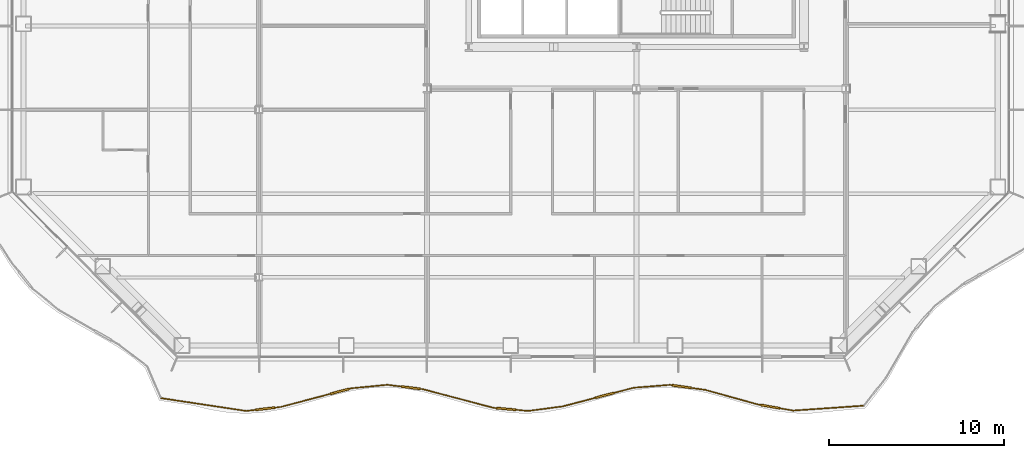
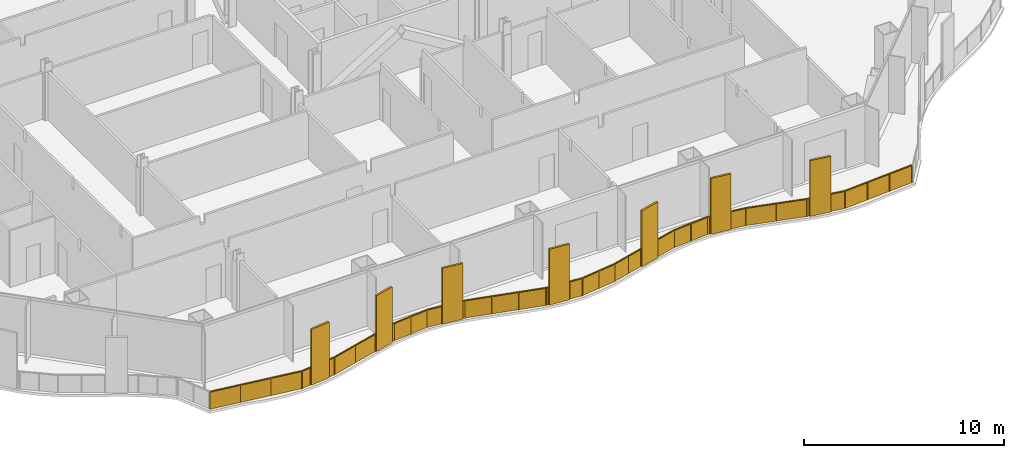
# One storey, part 13 of 18: 1 railing.
"""IFC4 building model written with IfcOpenShell, lengths in metres."""

from ifc_helpers import new_model, si_unit, direction, frame, origin, origin_2d, place, context, subcontext, project, spatial, polyline, rectangle, outline, extrude, material, type_object, element, save


model = new_model("IFC4")

# Units and contexts
model_context = context("Model", 3, precision=1e-05, world=origin(), true_north=direction((0.0, 1.0)))
body_context = subcontext(model_context, "Body", "Model", "MODEL_VIEW")
ifc_project = project(units=[si_unit("LENGTHUNIT", "METRE"), si_unit("AREAUNIT", "SQUARE_METRE"), si_unit("VOLUMEUNIT", "CUBIC_METRE"), si_unit("PLANEANGLEUNIT", "RADIAN"), si_unit("MASSUNIT", "GRAM", prefix="KILO")], contexts=[model_context])

# Site, building, storey
site_placement = place(None, origin())
site = spatial("IfcSite", under=ifc_project, at=site_placement, CompositionType="ELEMENT")
building_placement = place(site_placement, origin())
building = spatial("IfcBuilding", under=site, at=building_placement, Name="Cairn Pilgrim Tower", CompositionType="ELEMENT")
storey_placement = place(building_placement, frame((0.0, 0.0, 72.60009765625)))
storey = spatial("IfcBuildingStorey", under=building, at=storey_placement, Name="L16", CompositionType="ELEMENT", Elevation=72.60009765625)

# Railing
ifc_material = material(Name="Bronze anodised aluminium rail, posts and fin screens with laminated glass infill", Category="aluminium")
railing_type = type_object("IfcRailingType", Name="BALCONY GUARD WITH FIN SCREENS", PredefinedType="GUARDRAIL", material=ifc_material)
railing_placement = place(storey_placement, frame((-20.027587890625, -26.114013671875, 0.0)))
element("IfcRailing", 1, at=railing_placement, inside=storey, type_object=railing_type, Name="Balcony guard BGF-1 with fin screens", PredefinedType="GUARDRAIL", context=body_context, shape_type="SweptSolid", body=[
    extrude(rectangle(XDim=0.050048828125, YDim=0.050048828125, at=origin_2d()), frame((0.0, 0.0, 1.0751953125), z_axis=(0.988823769402, -0.149089077623, 0.0), x_axis=(0.149089077623, 0.988823769402, 0.0)), (0.0, 0.0, 1.0), 4.927490234375),
    extrude(rectangle(XDim=1.10009765625, YDim=0.110107421875, at=origin_2d()), frame((5.97021484375, -0.608154296875, 0.0), z_axis=(0.0, 0.0, 1.0), x_axis=(0.993419071083, 0.114536235351, 0.0)), (0.0, 0.0, 1.0), 3.39990234375),
    extrude(rectangle(XDim=0.050048828125, YDim=0.050048828125, at=origin_2d()), frame((4.872314453125, -0.734619140625, 1.0751953125), z_axis=(0.993419071083, 0.114536235351, 0.0), x_axis=(-0.114536235351, 0.993419071083, 0.0)), (0.0, 0.0, 1.0), 0.55517578125),
    extrude(rectangle(XDim=0.050048828125, YDim=0.050048828125, at=origin_2d()), frame((6.5166015625, -0.545166015625, 1.0751953125), z_axis=(0.993419071083, 0.114536235351, 0.0), x_axis=(-0.114536235351, 0.993419071083, 0.0)), (0.0, 0.0, 1.0), 0.3486328125),
    extrude(rectangle(XDim=1.10009765625, YDim=0.110107421875, at=origin_2d()), frame((10.2294921875, 0.385009765625, 0.0), z_axis=(0.0, 0.0, 1.0), x_axis=(0.966778237652, 0.255616586323, 0.0)), (0.0, 0.0, 1.0), 3.39990234375),
    extrude(rectangle(XDim=0.050048828125, YDim=0.050048828125, at=origin_2d()), frame((6.86279296875, -0.505126953125, 1.0751953125), z_axis=(0.966778237652, 0.255616586323, 0.0), x_axis=(-0.255616586323, 0.966778237652, 0.0)), (0.0, 0.0, 1.0), 2.932373046875),
    extrude(rectangle(XDim=0.050048828125, YDim=0.050048828125, at=origin_2d()), frame((10.76123046875, 0.525634765625, 1.0751953125), z_axis=(0.966778237652, 0.255616586323, 0.0), x_axis=(-0.255616586323, 0.966778237652, 0.0)), (0.0, 0.0, 1.0), 0.14990234375),
    extrude(rectangle(XDim=0.050048828125, YDim=0.050048828125, at=origin_2d()), frame((10.90625, 0.56396484375, 1.0751953125), z_axis=(0.995274913369, 0.097097099946, 0.0), x_axis=(-0.097097099946, 0.995274913369, 0.0)), (0.0, 0.0, 1.0), 2.059326171875),
    extrude(rectangle(XDim=1.10009765625, YDim=0.110107421875, at=origin_2d()), frame((14.308837890625, 0.596435546875, 0.0), z_axis=(0.0, 0.0, 1.0), x_axis=(0.992428237928, -0.12282586276, 0.0)), (0.0, 0.0, 1.0), 3.39990234375),
    extrude(rectangle(XDim=0.050048828125, YDim=0.050048828125, at=origin_2d()), frame((12.955810546875, 0.763916015625, 1.0751953125), z_axis=(0.992428237928, -0.12282586276, 0.0), x_axis=(0.12282586276, 0.992428237928, 0.0)), (0.0, 0.0, 1.0), 0.8134765625),
    extrude(rectangle(XDim=0.050048828125, YDim=0.050048828125, at=origin_2d()), frame((14.854736328125, 0.52880859375, 1.0751953125), z_axis=(0.992428237928, -0.12282586276, 0.0), x_axis=(0.12282586276, 0.992428237928, 0.0)), (0.0, 0.0, 1.0), 0.14990234375),
    extrude(rectangle(XDim=0.050048828125, YDim=0.050048828125, at=origin_2d()), frame((15.00341796875, 0.510498046875, 1.0751953125), z_axis=(0.966875925822, -0.255246829686, 0.0), x_axis=(0.255246829686, 0.966875925822, 0.0)), (0.0, 0.0, 1.0), 4.177978515625),
    extrude(rectangle(XDim=1.10009765625, YDim=0.110107421875, at=origin_2d()), frame((19.76318359375, -0.619873046875, 0.0), z_axis=(0.0, 0.0, 1.0), x_axis=(0.996086028057, -0.088389053109, 0.0)), (0.0, 0.0, 1.0), 3.39990234375),
    extrude(rectangle(XDim=0.050048828125, YDim=0.050048828125, at=origin_2d()), frame((19.04296875, -0.555908203125, 1.0751953125), z_axis=(0.996086028057, -0.088389053109, 0.0), x_axis=(0.088389053109, 0.996086028057, 0.0)), (0.0, 0.0, 1.0), 0.173095703125),
    extrude(rectangle(XDim=0.050048828125, YDim=0.050048828125, at=origin_2d()), frame((20.31103515625, -0.66845703125, 1.0751953125), z_axis=(0.996086028057, -0.088389053109, 0.0), x_axis=(0.088389053109, 0.996086028057, 0.0)), (0.0, 0.0, 1.0), 0.726806640625),
    extrude(rectangle(XDim=0.050048828125, YDim=0.050048828125, at=origin_2d()), frame((21.034912109375, -0.732666015625, 1.0751953125), z_axis=(0.991348267386, 0.131257810244, 0.0), x_axis=(-0.131257810244, 0.991348267386, 0.0)), (0.0, 0.0, 1.0), 2.012451171875),
    extrude(rectangle(XDim=1.10009765625, YDim=0.110107421875, at=origin_2d()), frame((25.408447265625, 0.15771484375, 0.0), z_axis=(0.0, 0.0, 1.0), x_axis=(0.967046563714, 0.254599575035, 0.0)), (0.0, 0.0, 1.0), 3.39990234375),
    extrude(rectangle(XDim=0.050048828125, YDim=0.050048828125, at=origin_2d()), frame((23.030029296875, -0.468505859375, 1.0751953125), z_axis=(0.967046563714, 0.254599575035, 0.0), x_axis=(-0.254599575035, 0.967046563714, 0.0)), (0.0, 0.0, 1.0), 1.909423828125),
    extrude(rectangle(XDim=0.050048828125, YDim=0.050048828125, at=origin_2d()), frame((25.9404296875, 0.297607421875, 1.0751953125), z_axis=(0.967046563714, 0.254599575035, 0.0), x_axis=(-0.254599575035, 0.967046563714, 0.0)), (0.0, 0.0, 1.0), 1.17431640625),
    extrude(rectangle(XDim=0.050048828125, YDim=0.050048828125, at=origin_2d()), frame((27.075927734375, 0.5966796875, 1.0751953125), z_axis=(0.996853646438, 0.079264163293, 0.0), x_axis=(-0.079264163293, 0.996853646438, 0.0)), (0.0, 0.0, 1.0), 2.0576171875),
    extrude(rectangle(XDim=1.10009765625, YDim=0.110107421875, at=origin_2d()), frame((29.820068359375, 0.662353515625, 0.0), z_axis=(0.0, 0.0, 1.0), x_axis=(0.990258868866, -0.139238545783, 0.0)), (0.0, 0.0, 1.0), 3.39990234375),
    extrude(rectangle(XDim=0.050048828125, YDim=0.050048828125, at=origin_2d()), frame((29.126953125, 0.759765625, 1.0751953125), z_axis=(0.990258868866, -0.139238545783, 0.0), x_axis=(0.139238545783, 0.990258868866, 0.0)), (0.0, 0.0, 1.0), 0.14990234375),
    extrude(rectangle(XDim=0.050048828125, YDim=0.050048828125, at=origin_2d()), frame((30.36474609375, 0.585693359375, 1.0751953125), z_axis=(0.990258868866, -0.139238545783, 0.0), x_axis=(0.139238545783, 0.990258868866, 0.0)), (0.0, 0.0, 1.0), 0.817138671875),
    extrude(rectangle(XDim=0.050048828125, YDim=0.050048828125, at=origin_2d()), frame((31.174072265625, 0.471923828125, 1.0751953125), z_axis=(0.9637508878, -0.266803722359, 0.0), x_axis=(0.266803722359, 0.9637508878, 0.0)), (0.0, 0.0, 1.0), 3.147705078125),
    extrude(rectangle(XDim=1.10009765625, YDim=0.110107421875, at=origin_2d()), frame((34.897705078125, -0.48681640625, 0.0), z_axis=(0.0, 0.0, 1.0), x_axis=(0.985449674135, -0.169967466732, 0.0)), (0.0, 0.0, 1.0), 3.39990234375),
    extrude(rectangle(XDim=0.050048828125, YDim=0.050048828125, at=origin_2d()), frame((34.207763671875, -0.367919921875, 1.0751953125), z_axis=(0.985449674135, -0.169967466732, 0.0), x_axis=(0.169967466732, 0.985449674135, 0.0)), (0.0, 0.0, 1.0), 0.150146484375),
    extrude(rectangle(XDim=0.050048828125, YDim=0.050048828125, at=origin_2d()), frame((35.439697265625, -0.580322265625, 1.0751953125), z_axis=(0.985449674135, -0.169967466732, 0.0), x_axis=(0.169967466732, 0.985449674135, 0.0)), (0.0, 0.0, 1.0), 0.775146484375),
    extrude(rectangle(XDim=0.050048828125, YDim=0.050048828125, at=origin_2d()), frame((36.20361328125, -0.712158203125, 1.0751953125), z_axis=(0.99762787881, 0.06883760179, 0.0), x_axis=(-0.06883760179, 0.99762787881, 0.0)), (0.0, 0.0, 1.0), 4.01123046875),
    extrude(rectangle(XDim=0.050048828125, YDim=0.050048828125, at=origin_2d()), origin(), (0.0, 0.0, 1.0), 1.050048828125),
    extrude(rectangle(XDim=0.050048828125, YDim=0.050048828125, at=origin_2d()), frame((1.6240234375, -0.244873046875, 0.0)), (0.0, 0.0, 1.0), 1.050048828125),
    extrude(rectangle(XDim=0.050048828125, YDim=0.050048828125, at=origin_2d()), frame((3.248291015625, -0.48974609375, 0.0)), (0.0, 0.0, 1.0), 1.050048828125),
    extrude(rectangle(XDim=0.050048828125, YDim=0.050048828125, at=origin_2d()), frame((4.872314453125, -0.734619140625, 0.0)), (0.0, 0.0, 1.0), 1.050048828125),
    extrude(rectangle(XDim=0.050048828125, YDim=0.050048828125, at=origin_2d()), frame((5.39892578125, -0.673828125, 0.0)), (0.0, 0.0, 1.0), 1.050048828125),
    extrude(rectangle(XDim=0.050048828125, YDim=0.050048828125, at=origin_2d()), frame((6.54150390625, -0.542236328125, 0.0)), (0.0, 0.0, 1.0), 1.050048828125),
    extrude(rectangle(XDim=0.050048828125, YDim=0.050048828125, at=origin_2d()), frame((6.86279296875, -0.505126953125, 0.0)), (0.0, 0.0, 1.0), 1.050048828125),
    extrude(rectangle(XDim=0.050048828125, YDim=0.050048828125, at=origin_2d()), frame((8.268310546875, -0.133544921875, 0.0)), (0.0, 0.0, 1.0), 1.050048828125),
    extrude(rectangle(XDim=0.050048828125, YDim=0.050048828125, at=origin_2d()), frame((9.673583984375, 0.238037109375, 0.0)), (0.0, 0.0, 1.0), 1.050048828125),
    extrude(rectangle(XDim=0.050048828125, YDim=0.050048828125, at=origin_2d()), frame((10.785400390625, 0.531982421875, 0.0)), (0.0, 0.0, 1.0), 1.050048828125),
    extrude(rectangle(XDim=0.050048828125, YDim=0.050048828125, at=origin_2d()), frame((10.90625, 0.56396484375, 0.0)), (0.0, 0.0, 1.0), 1.050048828125),
    extrude(rectangle(XDim=0.050048828125, YDim=0.050048828125, at=origin_2d()), frame((11.93115234375, 0.6640625, 0.0)), (0.0, 0.0, 1.0), 1.050048828125),
    extrude(rectangle(XDim=0.050048828125, YDim=0.050048828125, at=origin_2d()), frame((12.955810546875, 0.763916015625, 0.0)), (0.0, 0.0, 1.0), 1.050048828125),
    extrude(rectangle(XDim=0.050048828125, YDim=0.050048828125, at=origin_2d()), frame((13.73828125, 0.6669921875, 0.0)), (0.0, 0.0, 1.0), 1.050048828125),
    extrude(rectangle(XDim=0.050048828125, YDim=0.050048828125, at=origin_2d()), frame((14.87939453125, 0.52587890625, 0.0)), (0.0, 0.0, 1.0), 1.050048828125),
    extrude(rectangle(XDim=0.050048828125, YDim=0.050048828125, at=origin_2d()), frame((15.00341796875, 0.510498046875, 0.0)), (0.0, 0.0, 1.0), 1.050048828125),
    extrude(rectangle(XDim=0.050048828125, YDim=0.050048828125, at=origin_2d()), frame((16.349853515625, 0.155029296875, 0.0)), (0.0, 0.0, 1.0), 1.050048828125),
    extrude(rectangle(XDim=0.050048828125, YDim=0.050048828125, at=origin_2d()), frame((17.696533203125, -0.200439453125, 0.0)), (0.0, 0.0, 1.0), 1.050048828125),
    extrude(rectangle(XDim=0.050048828125, YDim=0.050048828125, at=origin_2d()), frame((19.04296875, -0.555908203125, 0.0)), (0.0, 0.0, 1.0), 1.050048828125),
    extrude(rectangle(XDim=0.050048828125, YDim=0.050048828125, at=origin_2d()), frame((19.1904296875, -0.569091796875, 0.0)), (0.0, 0.0, 1.0), 1.050048828125),
    extrude(rectangle(XDim=0.050048828125, YDim=0.050048828125, at=origin_2d()), frame((20.3359375, -0.670654296875, 0.0)), (0.0, 0.0, 1.0), 1.050048828125),
    extrude(rectangle(XDim=0.050048828125, YDim=0.050048828125, at=origin_2d()), frame((21.034912109375, -0.732666015625, 0.0)), (0.0, 0.0, 1.0), 1.050048828125),
    extrude(rectangle(XDim=0.050048828125, YDim=0.050048828125, at=origin_2d()), frame((22.032470703125, -0.6005859375, 0.0)), (0.0, 0.0, 1.0), 1.050048828125),
    extrude(rectangle(XDim=0.050048828125, YDim=0.050048828125, at=origin_2d()), frame((23.030029296875, -0.468505859375, 0.0)), (0.0, 0.0, 1.0), 1.050048828125),
    extrude(rectangle(XDim=0.050048828125, YDim=0.050048828125, at=origin_2d()), frame((23.941162109375, -0.228515625, 0.0)), (0.0, 0.0, 1.0), 1.050048828125),
    extrude(rectangle(XDim=0.050048828125, YDim=0.050048828125, at=origin_2d()), frame((24.852294921875, 0.01123046875, 0.0)), (0.0, 0.0, 1.0), 1.050048828125),
    extrude(rectangle(XDim=0.050048828125, YDim=0.050048828125, at=origin_2d()), frame((25.964599609375, 0.30419921875, 0.0)), (0.0, 0.0, 1.0), 1.050048828125),
    extrude(rectangle(XDim=0.050048828125, YDim=0.050048828125, at=origin_2d()), frame((27.075927734375, 0.5966796875, 0.0)), (0.0, 0.0, 1.0), 1.050048828125),
    extrude(rectangle(XDim=0.050048828125, YDim=0.050048828125, at=origin_2d()), frame((28.1015625, 0.67822265625, 0.0)), (0.0, 0.0, 1.0), 1.050048828125),
    extrude(rectangle(XDim=0.050048828125, YDim=0.050048828125, at=origin_2d()), frame((29.126953125, 0.759765625, 0.0)), (0.0, 0.0, 1.0), 1.050048828125),
    extrude(rectangle(XDim=0.050048828125, YDim=0.050048828125, at=origin_2d()), frame((29.250732421875, 0.742431640625, 0.0)), (0.0, 0.0, 1.0), 1.050048828125),
    extrude(rectangle(XDim=0.050048828125, YDim=0.050048828125, at=origin_2d()), frame((30.3896484375, 0.582275390625, 0.0)), (0.0, 0.0, 1.0), 1.050048828125),
    extrude(rectangle(XDim=0.050048828125, YDim=0.050048828125, at=origin_2d()), frame((31.174072265625, 0.471923828125, 0.0)), (0.0, 0.0, 1.0), 1.050048828125),
    extrude(rectangle(XDim=0.050048828125, YDim=0.050048828125, at=origin_2d()), frame((32.69091796875, 0.052001953125, 0.0)), (0.0, 0.0, 1.0), 1.050048828125),
    extrude(rectangle(XDim=0.050048828125, YDim=0.050048828125, at=origin_2d()), frame((34.207763671875, -0.367919921875, 0.0)), (0.0, 0.0, 1.0), 1.050048828125),
    extrude(rectangle(XDim=0.050048828125, YDim=0.050048828125, at=origin_2d()), frame((34.3310546875, -0.38916015625, 0.0)), (0.0, 0.0, 1.0), 1.050048828125),
    extrude(rectangle(XDim=0.050048828125, YDim=0.050048828125, at=origin_2d()), frame((35.46435546875, -0.584716796875, 0.0)), (0.0, 0.0, 1.0), 1.050048828125),
    extrude(rectangle(XDim=0.050048828125, YDim=0.050048828125, at=origin_2d()), frame((36.20361328125, -0.712158203125, 0.0)), (0.0, 0.0, 1.0), 1.050048828125),
    extrude(rectangle(XDim=0.050048828125, YDim=0.050048828125, at=origin_2d()), frame((37.53759765625, -0.6201171875, 0.0)), (0.0, 0.0, 1.0), 1.050048828125),
    extrude(rectangle(XDim=0.050048828125, YDim=0.050048828125, at=origin_2d()), frame((38.871337890625, -0.528076171875, 0.0)), (0.0, 0.0, 1.0), 1.050048828125),
    extrude(rectangle(XDim=0.050048828125, YDim=0.050048828125, at=origin_2d()), frame((40.205322265625, -0.43603515625, 0.0)), (0.0, 0.0, 1.0), 1.050048828125),
    extrude(outline(polyline([(0.02490234375, 0.0), (1.617431640625, 0.0), (1.617431640625, 1.050048828125), (0.02490234375, 1.050048828125), (0.02490234375, 0.0)])), frame((0.0009765625, 0.005859375, 0.0), z_axis=(-0.149089077623, -0.988823769402, 0.0), x_axis=(0.988823769402, -0.149089077623, 0.0)), (0.0, 0.0, 1.0), 0.011962890625),
    extrude(outline(polyline([(0.02490234375, 0.0), (1.617431640625, 0.0), (1.617431640625, 1.050048828125), (0.02490234375, 1.050048828125), (0.02490234375, 0.0)])), frame((1.625, -0.239013671875, 0.0), z_axis=(-0.149089077623, -0.988823769402, 0.0), x_axis=(0.988823769402, -0.149089077623, 0.0)), (0.0, 0.0, 1.0), 0.011962890625),
    extrude(outline(polyline([(0.02490234375, 0.0), (1.617431640625, 0.0), (1.617431640625, 1.050048828125), (0.02490234375, 1.050048828125), (0.02490234375, 0.0)])), frame((3.2490234375, -0.48388671875, 0.0), z_axis=(-0.149089077623, -0.988823769402, 0.0), x_axis=(0.988823769402, -0.149089077623, 0.0)), (0.0, 0.0, 1.0), 0.011962890625),
    extrude(outline(polyline([(0.02490234375, 0.0), (0.505126953125, 0.0), (0.505126953125, 1.050048828125), (0.02490234375, 1.050048828125), (0.02490234375, 0.0)])), frame((4.87158203125, -0.728759765625, 0.0), z_axis=(0.114536235351, -0.993419071083, 0.0), x_axis=(0.993419071083, 0.114536235351, 0.0)), (0.0, 0.0, 1.0), 0.011962890625),
    extrude(outline(polyline([(0.02490234375, 0.0), (0.298583984375, 0.0), (0.298583984375, 1.050048828125), (0.02490234375, 1.050048828125), (0.02490234375, 0.0)])), frame((6.540771484375, -0.5361328125, 0.0), z_axis=(0.114536235351, -0.993419071083, 0.0), x_axis=(0.993419071083, 0.114536235351, 0.0)), (0.0, 0.0, 1.0), 0.011962890625),
    extrude(outline(polyline([(0.02490234375, 0.0), (1.4287109375, 0.0), (1.4287109375, 1.050048828125), (0.02490234375, 1.050048828125), (0.02490234375, 0.0)])), frame((6.861328125, -0.499267578125, 0.0), z_axis=(0.255616586323, -0.966778237652, 0.0), x_axis=(0.966778237652, 0.255616586323, 0.0)), (0.0, 0.0, 1.0), 0.011962890625),
    extrude(outline(polyline([(0.02490234375, 0.0), (1.4287109375, 0.0), (1.4287109375, 1.050048828125), (0.02490234375, 1.050048828125), (0.02490234375, 0.0)])), frame((8.2666015625, -0.127685546875, 0.0), z_axis=(0.255616586323, -0.966778237652, 0.0), x_axis=(0.966778237652, 0.255616586323, 0.0)), (0.0, 0.0, 1.0), 0.011962890625),
    extrude(outline(polyline([(0.02490234375, 0.0), (0.099853515625, 0.0), (0.099853515625, 1.050048828125), (0.02490234375, 1.050048828125), (0.02490234375, 0.0)])), frame((10.783935546875, 0.537841796875, 0.0), z_axis=(0.255616586323, -0.966778237652, 0.0), x_axis=(0.966778237652, 0.255616586323, 0.0)), (0.0, 0.0, 1.0), 0.011962890625),
    extrude(outline(polyline([(0.02490234375, 0.0), (1.004638671875, 0.0), (1.004638671875, 1.050048828125), (0.02490234375, 1.050048828125), (0.02490234375, 0.0)])), frame((10.90576171875, 0.56982421875, 0.0), z_axis=(0.097097099946, -0.995274913369, 0.0), x_axis=(0.995274913369, 0.097097099946, 0.0)), (0.0, 0.0, 1.0), 0.011962890625),
    extrude(outline(polyline([(0.02490234375, 0.0), (1.004638671875, 0.0), (1.004638671875, 1.050048828125), (0.02490234375, 1.050048828125), (0.02490234375, 0.0)])), frame((11.930419921875, 0.669921875, 0.0), z_axis=(0.097097099946, -0.995274913369, 0.0), x_axis=(0.995274913369, 0.097097099946, 0.0)), (0.0, 0.0, 1.0), 0.011962890625),
    extrude(outline(polyline([(0.02490234375, 0.0), (0.763427734375, 0.0), (0.763427734375, 1.050048828125), (0.02490234375, 1.050048828125), (0.02490234375, 0.0)])), frame((12.95654296875, 0.769775390625, 0.0), z_axis=(-0.12282586276, -0.992428237928, 0.0), x_axis=(0.992428237928, -0.12282586276, 0.0)), (0.0, 0.0, 1.0), 0.011962890625),
    extrude(outline(polyline([(0.02490234375, 0.0), (0.099853515625, 0.0), (0.099853515625, 1.050048828125), (0.02490234375, 1.050048828125), (0.02490234375, 0.0)])), frame((14.88037109375, 0.53173828125, 0.0), z_axis=(-0.12282586276, -0.992428237928, 0.0), x_axis=(0.992428237928, -0.12282586276, 0.0)), (0.0, 0.0, 1.0), 0.011962890625),
    extrude(outline(polyline([(0.02490234375, 0.0), (1.36767578125, 0.0), (1.36767578125, 1.050048828125), (0.02490234375, 1.050048828125), (0.02490234375, 0.0)])), frame((15.0048828125, 0.516357421875, 0.0), z_axis=(-0.255246829686, -0.966875925822, 0.0), x_axis=(0.966875925822, -0.255246829686, 0.0)), (0.0, 0.0, 1.0), 0.011962890625),
    extrude(outline(polyline([(0.02490234375, 0.0), (1.36767578125, 0.0), (1.36767578125, 1.050048828125), (0.02490234375, 1.050048828125), (0.02490234375, 0.0)])), frame((16.3515625, 0.160888671875, 0.0), z_axis=(-0.255246829686, -0.966875925822, 0.0), x_axis=(0.966875925822, -0.255246829686, 0.0)), (0.0, 0.0, 1.0), 0.011962890625),
    extrude(outline(polyline([(0.02490234375, 0.0), (1.36767578125, 0.0), (1.36767578125, 1.050048828125), (0.02490234375, 1.050048828125), (0.02490234375, 0.0)])), frame((17.697998046875, -0.194580078125, 0.0), z_axis=(-0.255246829686, -0.966875925822, 0.0), x_axis=(0.966875925822, -0.255246829686, 0.0)), (0.0, 0.0, 1.0), 0.011962890625),
    extrude(outline(polyline([(0.02490234375, 0.0), (0.123046875, 0.0), (0.123046875, 1.050048828125), (0.02490234375, 1.050048828125), (0.02490234375, 0.0)])), frame((19.04345703125, -0.550048828125, 0.0), z_axis=(-0.088389053109, -0.996086028057, 0.0), x_axis=(0.996086028057, -0.088389053109, 0.0)), (0.0, 0.0, 1.0), 0.011962890625),
    extrude(outline(polyline([(0.02490234375, 0.0), (0.6767578125, 0.0), (0.6767578125, 1.050048828125), (0.02490234375, 1.050048828125), (0.02490234375, 0.0)])), frame((20.33642578125, -0.664794921875, 0.0), z_axis=(-0.088389053109, -0.996086028057, 0.0), x_axis=(0.996086028057, -0.088389053109, 0.0)), (0.0, 0.0, 1.0), 0.011962890625),
    extrude(outline(polyline([(0.02490234375, 0.0), (0.981201171875, 0.0), (0.981201171875, 1.050048828125), (0.02490234375, 1.050048828125), (0.02490234375, 0.0)])), frame((21.0341796875, -0.726806640625, 0.0), z_axis=(0.131257810244, -0.991348267386, 0.0), x_axis=(0.991348267386, 0.131257810244, 0.0)), (0.0, 0.0, 1.0), 0.011962890625),
    extrude(outline(polyline([(0.02490234375, 0.0), (0.981201171875, 0.0), (0.981201171875, 1.050048828125), (0.02490234375, 1.050048828125), (0.02490234375, 0.0)])), frame((22.03173828125, -0.5947265625, 0.0), z_axis=(0.131257810244, -0.991348267386, 0.0), x_axis=(0.991348267386, 0.131257810244, 0.0)), (0.0, 0.0, 1.0), 0.011962890625),
    extrude(outline(polyline([(0.02490234375, 0.0), (0.917236328125, 0.0), (0.917236328125, 1.050048828125), (0.02490234375, 1.050048828125), (0.02490234375, 0.0)])), frame((23.028564453125, -0.462646484375, 0.0), z_axis=(0.254599575035, -0.967046563714, 0.0), x_axis=(0.967046563714, 0.254599575035, 0.0)), (0.0, 0.0, 1.0), 0.011962890625),
    extrude(outline(polyline([(0.02490234375, 0.0), (0.917236328125, 0.0), (0.917236328125, 1.050048828125), (0.02490234375, 1.050048828125), (0.02490234375, 0.0)])), frame((23.939697265625, -0.222900390625, 0.0), z_axis=(0.254599575035, -0.967046563714, 0.0), x_axis=(0.967046563714, 0.254599575035, 0.0)), (0.0, 0.0, 1.0), 0.011962890625),
    extrude(outline(polyline([(0.02490234375, 0.0), (1.124267578125, 0.0), (1.124267578125, 1.050048828125), (0.02490234375, 1.050048828125), (0.02490234375, 0.0)])), frame((25.963134765625, 0.309814453125, 0.0), z_axis=(0.254599575035, -0.967046563714, 0.0), x_axis=(0.967046563714, 0.254599575035, 0.0)), (0.0, 0.0, 1.0), 0.011962890625),
    extrude(outline(polyline([(0.02490234375, 0.0), (1.003662109375, 0.0), (1.003662109375, 1.050048828125), (0.02490234375, 1.050048828125), (0.02490234375, 0.0)])), frame((27.075439453125, 0.6025390625, 0.0), z_axis=(0.079264163293, -0.996853646438, 0.0), x_axis=(0.996853646438, 0.079264163293, 0.0)), (0.0, 0.0, 1.0), 0.011962890625),
    extrude(outline(polyline([(0.02490234375, 0.0), (1.003662109375, 0.0), (1.003662109375, 1.050048828125), (0.02490234375, 1.050048828125), (0.02490234375, 0.0)])), frame((28.10107421875, 0.68408203125, 0.0), z_axis=(0.079264163293, -0.996853646438, 0.0), x_axis=(0.996853646438, 0.079264163293, 0.0)), (0.0, 0.0, 1.0), 0.011962890625),
    extrude(outline(polyline([(0.02490234375, 0.0), (0.099853515625, 0.0), (0.099853515625, 1.050048828125), (0.02490234375, 1.050048828125), (0.02490234375, 0.0)])), frame((29.127685546875, 0.765625, 0.0), z_axis=(-0.139238545783, -0.990258868866, 0.0), x_axis=(0.990258868866, -0.139238545783, 0.0)), (0.0, 0.0, 1.0), 0.011962890625),
    extrude(outline(polyline([(0.02490234375, 0.0), (0.76708984375, 0.0), (0.76708984375, 1.050048828125), (0.02490234375, 1.050048828125), (0.02490234375, 0.0)])), frame((30.390380859375, 0.588134765625, 0.0), z_axis=(-0.139238545783, -0.990258868866, 0.0), x_axis=(0.990258868866, -0.139238545783, 0.0)), (0.0, 0.0, 1.0), 0.011962890625),
    extrude(outline(polyline([(0.02490234375, 0.0), (1.548828125, 0.0), (1.548828125, 1.050048828125), (0.02490234375, 1.050048828125), (0.02490234375, 0.0)])), frame((31.17578125, 0.477783203125, 0.0), z_axis=(-0.266803722359, -0.9637508878, 0.0), x_axis=(0.9637508878, -0.266803722359, 0.0)), (0.0, 0.0, 1.0), 0.011962890625),
    extrude(outline(polyline([(0.02490234375, 0.0), (1.548828125, 0.0), (1.548828125, 1.050048828125), (0.02490234375, 1.050048828125), (0.02490234375, 0.0)])), frame((32.692626953125, 0.057861328125, 0.0), z_axis=(-0.266803722359, -0.9637508878, 0.0), x_axis=(0.9637508878, -0.266803722359, 0.0)), (0.0, 0.0, 1.0), 0.011962890625),
    extrude(outline(polyline([(0.02490234375, 0.0), (0.10009765625, 0.0), (0.10009765625, 1.050048828125), (0.02490234375, 1.050048828125), (0.02490234375, 0.0)])), frame((34.208740234375, -0.362060546875, 0.0), z_axis=(-0.169967466732, -0.985449674135, 0.0), x_axis=(0.985449674135, -0.169967466732, 0.0)), (0.0, 0.0, 1.0), 0.011962890625),
    extrude(outline(polyline([(0.02490234375, 0.0), (0.72509765625, 0.0), (0.72509765625, 1.050048828125), (0.02490234375, 1.050048828125), (0.02490234375, 0.0)])), frame((35.46533203125, -0.578857421875, 0.0), z_axis=(-0.169967466732, -0.985449674135, 0.0), x_axis=(0.985449674135, -0.169967466732, 0.0)), (0.0, 0.0, 1.0), 0.011962890625),
    extrude(outline(polyline([(0.02490234375, 0.0), (1.31201171875, 0.0), (1.31201171875, 1.050048828125), (0.02490234375, 1.050048828125), (0.02490234375, 0.0)])), frame((36.203125, -0.706298828125, 0.0), z_axis=(0.06883760179, -0.99762787881, 0.0), x_axis=(0.99762787881, 0.06883760179, 0.0)), (0.0, 0.0, 1.0), 0.011962890625),
    extrude(outline(polyline([(0.02490234375, 0.0), (1.31201171875, 0.0), (1.31201171875, 1.050048828125), (0.02490234375, 1.050048828125), (0.02490234375, 0.0)])), frame((37.537109375, -0.6142578125, 0.0), z_axis=(0.06883760179, -0.99762787881, 0.0), x_axis=(0.99762787881, 0.06883760179, 0.0)), (0.0, 0.0, 1.0), 0.011962890625),
    extrude(outline(polyline([(0.02490234375, 0.0), (1.31201171875, 0.0), (1.31201171875, 1.050048828125), (0.02490234375, 1.050048828125), (0.02490234375, 0.0)])), frame((38.87109375, -0.522216796875, 0.0), z_axis=(0.06883760179, -0.99762787881, 0.0), x_axis=(0.99762787881, 0.06883760179, 0.0)), (0.0, 0.0, 1.0), 0.011962890625),
])

save(model, "model.ifc")
